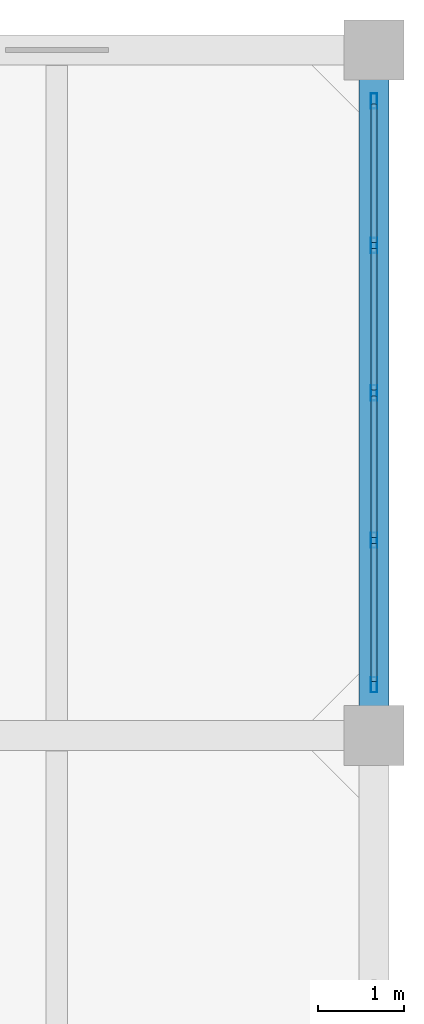
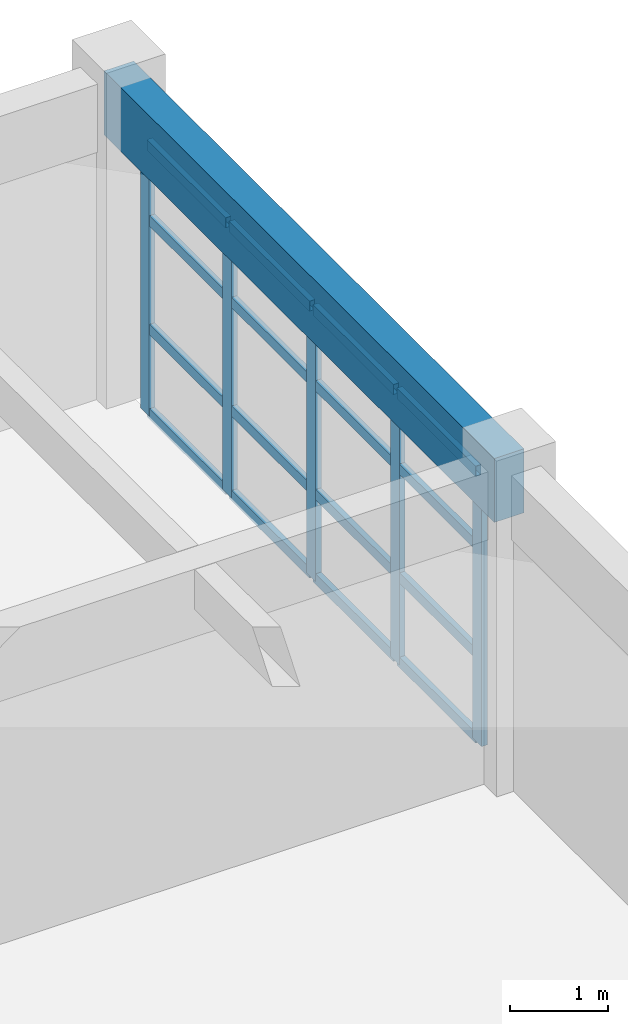
# One storey, part 16 of 25: 21 members, 1 beam, 1 element without a shape of its own.
"""IFC4 building model written with IfcOpenShell, lengths in metres."""

from ifc_helpers import new_model, si_unit, direction, frame, origin, origin_2d, place, context, subcontext, project, spatial, rectangle, hollow_rectangle, extrude, material, layer, layer_set, material_profile, profile_set, type_object, element, aggregate, save


model = new_model("IFC4")

# Units and contexts
model_context = context("Model", 3, precision=1e-05, world=origin(), true_north=direction((0.0, 1.0)))
body_context = subcontext(model_context, "Body", "Model", "MODEL_VIEW")
ifc_project = project(units=[si_unit("LENGTHUNIT", "METRE"), si_unit("AREAUNIT", "SQUARE_METRE"), si_unit("VOLUMEUNIT", "CUBIC_METRE"), si_unit("PLANEANGLEUNIT", "RADIAN"), si_unit("MASSUNIT", "GRAM", prefix="KILO")], contexts=[model_context])

# Site, building, storey
site_placement = place(None, origin())
site = spatial("IfcSite", under=ifc_project, at=site_placement, CompositionType="ELEMENT")
building_placement = place(site_placement, origin())
building = spatial("IfcBuilding", under=site, at=building_placement, Name="Canggui Botanical Conservatory", CompositionType="ELEMENT")
storey_placement = place(building_placement, frame((0.0, 0.0, 40.199951171875)))
storey = spatial("IfcBuildingStorey", under=building, at=storey_placement, Name="L10", CompositionType="ELEMENT", Elevation=40.199951171875)

# Beam
ifc_material_1 = material(Name="Concrete C35", Category="concrete")
ifc_material_profile_1 = material_profile(ifc_material_1, rectangle(XDim=0.35009765625, YDim=0.800048828125, at=origin_2d()), Name="RB 350x800")
ifc_profile_set_1 = profile_set([ifc_material_profile_1], Name="Concrete C35")
beam_type = type_object("IfcBeamType", Name="BM-KL15", PredefinedType="BEAM", material=ifc_profile_set_1)
beam_placement = place(storey_placement, frame((177.39990234375, 66.0, 3.56005859375), z_axis=(0.0, 1.0, 0.0), x_axis=(-1.0, 0.0, 0.0)))
element("IfcBeam", 1, at=beam_placement, inside=storey, type_object=beam_type, Name="Frame Girder L10 X178-5", PredefinedType="BEAM", context=body_context, shape_type="SweptSolid", body=[
    extrude(rectangle(XDim=0.35009765625, YDim=0.800048828125, at=origin_2d()), origin(), (0.0, 0.0, 1.0), 8.0),
])

# Curtain wall, members
ifc_material_2 = material(Name="Thermally Broken Aluminium", Category="aluminium")
ifc_layer = layer(ifc_material_2, 0.179931640625, Name="Thermally Broken Aluminium", Category="aluminium")
ifc_layer_set = layer_set([ifc_layer], Name="Thermally Broken Aluminium")
curtain_wall_type = type_object("IfcCurtainWallType", Name="CW-UNIT-A", PredefinedType="USERDEFINED", material=ifc_layer_set)
curtain_wall_placement = place(storey_placement, origin())
curtain_wall = element("IfcCurtainWall", 2, at=curtain_wall_placement, inside=storey, type_object=curtain_wall_type, Name="Facade Curtain Wall CW-TWR-L10-14", ObjectType="UNITISED CURTAIN WALL", PredefinedType="USERDEFINED")
ifc_material_profile_2 = material_profile(ifc_material_2, hollow_rectangle(XDim=0.070068359375, YDim=0.179931640625, WallThickness=0.00390625, at=origin_2d()), Name="CWM 70x180x4")
ifc_profile_set_2 = profile_set([ifc_material_profile_2], Name="Thermally Broken Aluminium")
member_type_1 = type_object("IfcMemberType", Name="CWM-01", PredefinedType="MULLION", material=ifc_profile_set_2)
member_1_placement = place(storey_placement, frame((177.39990234375, 73.405029296875, 0.0), z_axis=(0.0, 0.0, 1.0), x_axis=(1.0, 0.0, 0.0)))
member_1 = element("IfcMember", 3, at=member_1_placement, type_object=member_type_1, Name="CW-01 mullion 1", PredefinedType="MULLION", context=body_context, shape_type="SweptSolid", body=[
    extrude(hollow_rectangle(XDim=0.070068359375, YDim=0.179931640625, WallThickness=0.00390625, at=origin_2d()), origin(), (0.0, 0.0, 1.0), 3.400146484375),
])
member_2_placement = place(storey_placement, frame((177.39990234375, 71.719970703125, 0.0), z_axis=(0.0, 0.0, 1.0), x_axis=(1.0, 0.0, 0.0)))
member_2 = element("IfcMember", 4, at=member_2_placement, type_object=member_type_1, Name="CW-01 mullion 2", PredefinedType="MULLION", context=body_context, shape_type="SweptSolid", body=[
    extrude(hollow_rectangle(XDim=0.070068359375, YDim=0.179931640625, WallThickness=0.00390625, at=origin_2d()), origin(), (0.0, 0.0, 1.0), 3.400146484375),
])
member_3_placement = place(storey_placement, frame((177.39990234375, 70.0, 0.0), z_axis=(0.0, 0.0, 1.0), x_axis=(1.0, 0.0, 0.0)))
member_3 = element("IfcMember", 5, at=member_3_placement, type_object=member_type_1, Name="CW-01 mullion 3", PredefinedType="MULLION", context=body_context, shape_type="SweptSolid", body=[
    extrude(hollow_rectangle(XDim=0.070068359375, YDim=0.179931640625, WallThickness=0.00390625, at=origin_2d()), origin(), (0.0, 0.0, 1.0), 3.400146484375),
])
member_4_placement = place(storey_placement, frame((177.39990234375, 68.280029296875, 0.0), z_axis=(0.0, 0.0, 1.0), x_axis=(1.0, 0.0, 0.0)))
member_4 = element("IfcMember", 6, at=member_4_placement, type_object=member_type_1, Name="CW-01 mullion 4", PredefinedType="MULLION", context=body_context, shape_type="SweptSolid", body=[
    extrude(hollow_rectangle(XDim=0.070068359375, YDim=0.179931640625, WallThickness=0.00390625, at=origin_2d()), origin(), (0.0, 0.0, 1.0), 3.400146484375),
])
member_5_placement = place(storey_placement, frame((177.39990234375, 66.594970703125, 0.0), z_axis=(0.0, 0.0, 1.0), x_axis=(1.0, 0.0, 0.0)))
member_5 = element("IfcMember", 7, at=member_5_placement, type_object=member_type_1, Name="CW-01 mullion 5", PredefinedType="MULLION", context=body_context, shape_type="SweptSolid", body=[
    extrude(hollow_rectangle(XDim=0.070068359375, YDim=0.179931640625, WallThickness=0.00390625, at=origin_2d()), origin(), (0.0, 0.0, 1.0), 3.400146484375),
])
ifc_material_profile_3 = material_profile(ifc_material_2, hollow_rectangle(XDim=0.06494140625, YDim=0.1298828125, WallThickness=0.00341796875, at=origin_2d()), Name="CWT 65x130x3.5")
ifc_profile_set_3 = profile_set([ifc_material_profile_3], Name="Thermally Broken Aluminium")
member_type_2 = type_object("IfcMemberType", Name="CWT-01", PredefinedType="USERDEFINED", material=ifc_profile_set_3)
member_6_placement = place(storey_placement, frame((177.39990234375, 73.3701171875, 0.032470703125), z_axis=(0.0, -1.0, 0.0), x_axis=(1.0, 0.0, 0.0)))
member_6 = element("IfcMember", 8, at=member_6_placement, type_object=member_type_2, Name="CW-01 transom 1.1", ObjectType="TRANSOM", PredefinedType="USERDEFINED", context=body_context, shape_type="SweptSolid", body=[
    extrude(hollow_rectangle(XDim=0.06494140625, YDim=0.1298828125, WallThickness=0.00341796875, at=origin_2d()), origin(), (0.0, 0.0, 1.0), 1.615234375),
])
member_7_placement = place(storey_placement, frame((177.39990234375, 73.3701171875, 1.088134765625), z_axis=(0.0, -1.0, 0.0), x_axis=(1.0, 0.0, 0.0)))
member_7 = element("IfcMember", 9, at=member_7_placement, type_object=member_type_2, Name="CW-01 transom 1.2", ObjectType="TRANSOM", PredefinedType="USERDEFINED", context=body_context, shape_type="SweptSolid", body=[
    extrude(hollow_rectangle(XDim=0.06494140625, YDim=0.1298828125, WallThickness=0.00341796875, at=origin_2d()), origin(), (0.0, 0.0, 1.0), 1.615234375),
])
member_8_placement = place(storey_placement, frame((177.39990234375, 73.3701171875, 2.447998046875), z_axis=(0.0, -1.0, 0.0), x_axis=(1.0, 0.0, 0.0)))
member_8 = element("IfcMember", 10, at=member_8_placement, type_object=member_type_2, Name="CW-01 transom 1.3", ObjectType="TRANSOM", PredefinedType="USERDEFINED", context=body_context, shape_type="SweptSolid", body=[
    extrude(hollow_rectangle(XDim=0.06494140625, YDim=0.1298828125, WallThickness=0.00341796875, at=origin_2d()), origin(), (0.0, 0.0, 1.0), 1.615234375),
])
member_9_placement = place(storey_placement, frame((177.39990234375, 73.3701171875, 3.367431640625), z_axis=(0.0, -1.0, 0.0), x_axis=(1.0, 0.0, 0.0)))
member_9 = element("IfcMember", 11, at=member_9_placement, type_object=member_type_2, Name="CW-01 transom 1.4", ObjectType="TRANSOM", PredefinedType="USERDEFINED", context=body_context, shape_type="SweptSolid", body=[
    extrude(hollow_rectangle(XDim=0.06494140625, YDim=0.1298828125, WallThickness=0.00341796875, at=origin_2d()), origin(), (0.0, 0.0, 1.0), 1.615234375),
])
member_10_placement = place(storey_placement, frame((177.39990234375, 71.68505859375, 0.032470703125), z_axis=(0.0, -1.0, 0.0), x_axis=(1.0, 0.0, 0.0)))
member_10 = element("IfcMember", 12, at=member_10_placement, type_object=member_type_2, Name="CW-01 transom 2.1", ObjectType="TRANSOM", PredefinedType="USERDEFINED", context=body_context, shape_type="SweptSolid", body=[
    extrude(hollow_rectangle(XDim=0.06494140625, YDim=0.1298828125, WallThickness=0.00341796875, at=origin_2d()), origin(), (0.0, 0.0, 1.0), 1.650146484375),
])
member_11_placement = place(storey_placement, frame((177.39990234375, 71.68505859375, 1.088134765625), z_axis=(0.0, -1.0, 0.0), x_axis=(1.0, 0.0, 0.0)))
member_11 = element("IfcMember", 13, at=member_11_placement, type_object=member_type_2, Name="CW-01 transom 2.2", ObjectType="TRANSOM", PredefinedType="USERDEFINED", context=body_context, shape_type="SweptSolid", body=[
    extrude(hollow_rectangle(XDim=0.06494140625, YDim=0.1298828125, WallThickness=0.00341796875, at=origin_2d()), origin(), (0.0, 0.0, 1.0), 1.650146484375),
])
member_12_placement = place(storey_placement, frame((177.39990234375, 71.68505859375, 2.447998046875), z_axis=(0.0, -1.0, 0.0), x_axis=(1.0, 0.0, 0.0)))
member_12 = element("IfcMember", 14, at=member_12_placement, type_object=member_type_2, Name="CW-01 transom 2.3", ObjectType="TRANSOM", PredefinedType="USERDEFINED", context=body_context, shape_type="SweptSolid", body=[
    extrude(hollow_rectangle(XDim=0.06494140625, YDim=0.1298828125, WallThickness=0.00341796875, at=origin_2d()), origin(), (0.0, 0.0, 1.0), 1.650146484375),
])
member_13_placement = place(storey_placement, frame((177.39990234375, 71.68505859375, 3.367431640625), z_axis=(0.0, -1.0, 0.0), x_axis=(1.0, 0.0, 0.0)))
member_13 = element("IfcMember", 15, at=member_13_placement, type_object=member_type_2, Name="CW-01 transom 2.4", ObjectType="TRANSOM", PredefinedType="USERDEFINED", context=body_context, shape_type="SweptSolid", body=[
    extrude(hollow_rectangle(XDim=0.06494140625, YDim=0.1298828125, WallThickness=0.00341796875, at=origin_2d()), origin(), (0.0, 0.0, 1.0), 1.650146484375),
])
member_14_placement = place(storey_placement, frame((177.39990234375, 69.965087890625, 0.032470703125), z_axis=(0.0, -1.0, 0.0), x_axis=(1.0, 0.0, 0.0)))
member_14 = element("IfcMember", 16, at=member_14_placement, type_object=member_type_2, Name="CW-01 transom 3.1", ObjectType="TRANSOM", PredefinedType="USERDEFINED", context=body_context, shape_type="SweptSolid", body=[
    extrude(hollow_rectangle(XDim=0.06494140625, YDim=0.1298828125, WallThickness=0.00341796875, at=origin_2d()), origin(), (0.0, 0.0, 1.0), 1.650146484375),
])
member_15_placement = place(storey_placement, frame((177.39990234375, 69.965087890625, 1.088134765625), z_axis=(0.0, -1.0, 0.0), x_axis=(1.0, 0.0, 0.0)))
member_15 = element("IfcMember", 17, at=member_15_placement, type_object=member_type_2, Name="CW-01 transom 3.2", ObjectType="TRANSOM", PredefinedType="USERDEFINED", context=body_context, shape_type="SweptSolid", body=[
    extrude(hollow_rectangle(XDim=0.06494140625, YDim=0.1298828125, WallThickness=0.00341796875, at=origin_2d()), origin(), (0.0, 0.0, 1.0), 1.650146484375),
])
member_16_placement = place(storey_placement, frame((177.39990234375, 69.965087890625, 2.447998046875), z_axis=(0.0, -1.0, 0.0), x_axis=(1.0, 0.0, 0.0)))
member_16 = element("IfcMember", 18, at=member_16_placement, type_object=member_type_2, Name="CW-01 transom 3.3", ObjectType="TRANSOM", PredefinedType="USERDEFINED", context=body_context, shape_type="SweptSolid", body=[
    extrude(hollow_rectangle(XDim=0.06494140625, YDim=0.1298828125, WallThickness=0.00341796875, at=origin_2d()), origin(), (0.0, 0.0, 1.0), 1.650146484375),
])
member_17_placement = place(storey_placement, frame((177.39990234375, 69.965087890625, 3.367431640625), z_axis=(0.0, -1.0, 0.0), x_axis=(1.0, 0.0, 0.0)))
member_17 = element("IfcMember", 19, at=member_17_placement, type_object=member_type_2, Name="CW-01 transom 3.4", ObjectType="TRANSOM", PredefinedType="USERDEFINED", context=body_context, shape_type="SweptSolid", body=[
    extrude(hollow_rectangle(XDim=0.06494140625, YDim=0.1298828125, WallThickness=0.00341796875, at=origin_2d()), origin(), (0.0, 0.0, 1.0), 1.650146484375),
])
member_18_placement = place(storey_placement, frame((177.39990234375, 68.2451171875, 0.032470703125), z_axis=(0.0, -1.0, 0.0), x_axis=(1.0, 0.0, 0.0)))
member_18 = element("IfcMember", 20, at=member_18_placement, type_object=member_type_2, Name="CW-01 transom 4.1", ObjectType="TRANSOM", PredefinedType="USERDEFINED", context=body_context, shape_type="SweptSolid", body=[
    extrude(hollow_rectangle(XDim=0.06494140625, YDim=0.1298828125, WallThickness=0.00341796875, at=origin_2d()), origin(), (0.0, 0.0, 1.0), 1.615234375),
])
member_19_placement = place(storey_placement, frame((177.39990234375, 68.2451171875, 1.088134765625), z_axis=(0.0, -1.0, 0.0), x_axis=(1.0, 0.0, 0.0)))
member_19 = element("IfcMember", 21, at=member_19_placement, type_object=member_type_2, Name="CW-01 transom 4.2", ObjectType="TRANSOM", PredefinedType="USERDEFINED", context=body_context, shape_type="SweptSolid", body=[
    extrude(hollow_rectangle(XDim=0.06494140625, YDim=0.1298828125, WallThickness=0.00341796875, at=origin_2d()), origin(), (0.0, 0.0, 1.0), 1.615234375),
])
member_20_placement = place(storey_placement, frame((177.39990234375, 68.2451171875, 2.447998046875), z_axis=(0.0, -1.0, 0.0), x_axis=(1.0, 0.0, 0.0)))
member_20 = element("IfcMember", 22, at=member_20_placement, type_object=member_type_2, Name="CW-01 transom 4.3", ObjectType="TRANSOM", PredefinedType="USERDEFINED", context=body_context, shape_type="SweptSolid", body=[
    extrude(hollow_rectangle(XDim=0.06494140625, YDim=0.1298828125, WallThickness=0.00341796875, at=origin_2d()), origin(), (0.0, 0.0, 1.0), 1.615234375),
])
member_21_placement = place(storey_placement, frame((177.39990234375, 68.2451171875, 3.367431640625), z_axis=(0.0, -1.0, 0.0), x_axis=(1.0, 0.0, 0.0)))
member_21 = element("IfcMember", 23, at=member_21_placement, type_object=member_type_2, Name="CW-01 transom 4.4", ObjectType="TRANSOM", PredefinedType="USERDEFINED", context=body_context, shape_type="SweptSolid", body=[
    extrude(hollow_rectangle(XDim=0.06494140625, YDim=0.1298828125, WallThickness=0.00341796875, at=origin_2d()), origin(), (0.0, 0.0, 1.0), 1.615234375),
])
aggregate(curtain_wall, [member_1, member_2, member_3, member_4, member_5, member_6, member_7, member_8, member_9, member_10, member_11, member_12, member_13, member_14, member_15, member_16, member_17, member_18, member_19, member_20, member_21])

save(model, "model.ifc")
